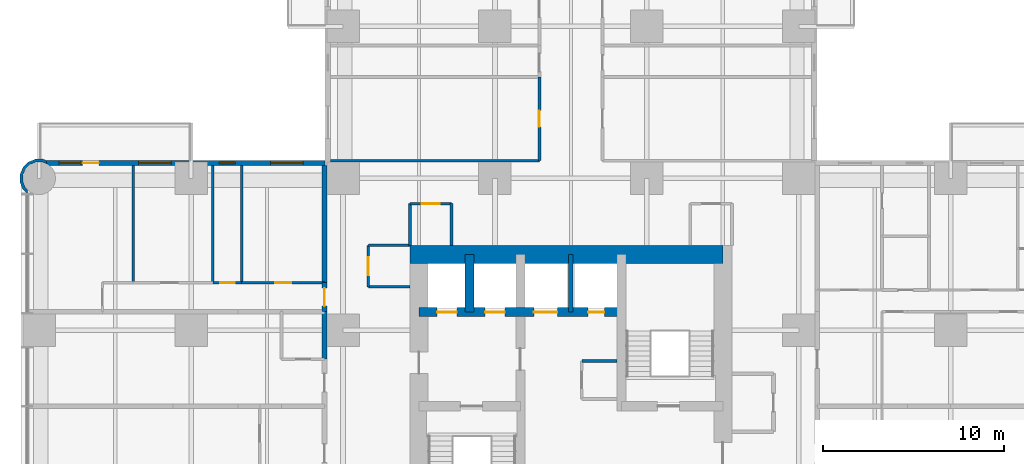
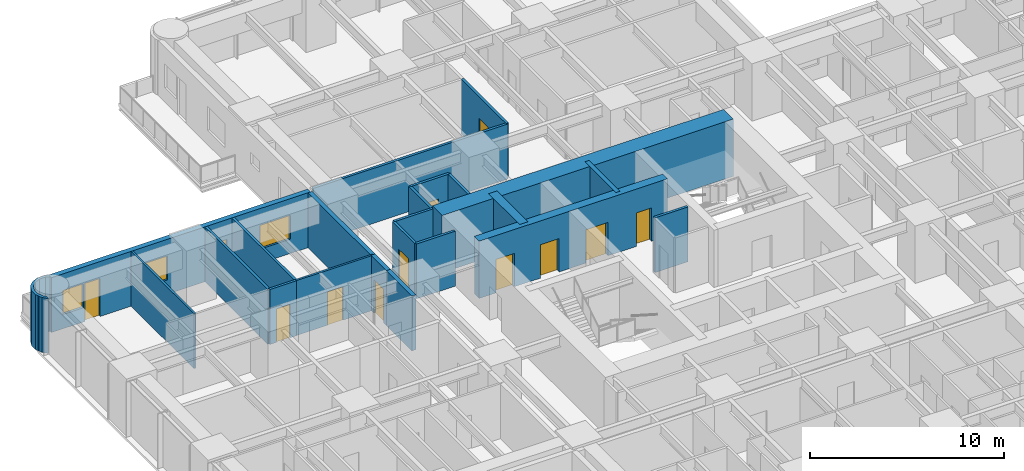
# One storey, part 12 of 17: 23 walls, 11 doors, 4 windows, 15 openings.
"""IFC4 building model written with IfcOpenShell, lengths in metres."""

from ifc_helpers import new_model, si_unit, direction, frame, frame_2d, origin, place, context, subcontext, project, spatial, polyline, rectangle, outline, extrude, material, layer, layer_set, type_object, element, fill, save


model = new_model("IFC4")

# Units and contexts
model_context = context("Model", 3, precision=1e-05, world=origin(), true_north=direction((0.0, 1.0)))
body_context = subcontext(model_context, "Body", "Model", "MODEL_VIEW")
ifc_project = project(units=[si_unit("LENGTHUNIT", "METRE"), si_unit("AREAUNIT", "SQUARE_METRE"), si_unit("VOLUMEUNIT", "CUBIC_METRE"), si_unit("PLANEANGLEUNIT", "RADIAN"), si_unit("MASSUNIT", "GRAM", prefix="KILO")], contexts=[model_context])

# Site, building, storey
site_placement = place(None, origin())
site = spatial("IfcSite", under=ifc_project, at=site_placement, CompositionType="ELEMENT")
building_placement = place(site_placement, origin())
building = spatial("IfcBuilding", under=site, at=building_placement, Name="Torre Alcanfor", CompositionType="ELEMENT")
storey_placement = place(building_placement, frame((0.0, 0.0, 34.5)))
storey = spatial("IfcBuildingStorey", under=building, at=storey_placement, Name="L07", CompositionType="ELEMENT", Elevation=34.5)

# Wall
ifc_material_1 = material(Name="Concrete block masonry, hollow blocks NMX-C-404 9 MPa", Category="masonry")
ifc_layer_1 = layer(ifc_material_1, 0.25)
ifc_layer_set_1 = layer_set([ifc_layer_1], Name="Apartment entrance wall 250 EI 60")
wall_type_1 = type_object("IfcWallType", Name="Apartment entrance wall 250 EI 60", PredefinedType="PARTITIONING", material=ifc_layer_set_1)
wall_1_placement = place(storey_placement, frame((15.77490234375, 32.0, 0.0), z_axis=(0.0, 0.0, 1.0), x_axis=(0.0, 1.0, 0.0)))
element("IfcWall", 1, at=wall_1_placement, inside=storey, type_object=wall_type_1, Name="Partition L07-CORR / L07-W2A-BATH", PredefinedType="PARTITIONING", context=body_context, shape_type="SweptSolid", body=[
    extrude(rectangle(XDim=2.62890625, YDim=0.25, at=frame_2d((1.314453125, 0.0))), origin(), (0.0, 0.0, 1.0), 3.449951171875),
])

# Wall, opening, door
wall_2_placement = place(storey_placement, frame((15.77490234375, 34.62890625, 0.0), z_axis=(0.0, 0.0, 1.0), x_axis=(0.0, 1.0, 0.0)))
wall_2 = element("IfcWall", 2, at=wall_2_placement, inside=storey, type_object=wall_type_1, Name="Partition L07-CORR / L07-W2B-HALL", PredefinedType="PARTITIONING", context=body_context, shape_type="SweptSolid", body=[
    extrude(rectangle(XDim=1.60009765625, YDim=0.25, at=frame_2d((0.800048828125, 0.0))), origin(), (0.0, 0.0, 1.0), 3.449951171875),
])
opening_1_placement = place(wall_2_placement, frame((0.300048828125, 0.0, 0.0)))
opening_1 = element("IfcOpeningElement", 3, at=opening_1_placement, cuts=wall_2, Name="Opening D-A1", PredefinedType="OPENING", context=body_context, shape_type="SweptSolid", body=[
    extrude(rectangle(XDim=1.0, YDim=2.10009765625, at=frame_2d((0.5, 1.050048828125))), frame((0.0, 0.135009765625, 0.0), z_axis=(0.0, -1.0, 0.0), x_axis=(1.0, 0.0, 0.0)), (0.0, 0.0, 1.0), 0.27001953125),
])
ifc_material_2 = material(Name="Galvanised steel sheet ASTM A653", Category="steel")
door_type_1 = type_object("IfcDoorType", Name="Apartment entrance door FD60 1000x2100", OperationType="SINGLE_SWING_LEFT", PredefinedType="DOOR", material=ifc_material_2)
door_1_placement = place(opening_1_placement, origin())
door_1 = element("IfcDoor", 4, at=door_1_placement, inside=storey, type_object=door_type_1, Name="Apartment entrance L07-W2B", OperationType="SINGLE_SWING_LEFT", OverallHeight=2.10009765625, OverallWidth=1.0, PredefinedType="DOOR", context=body_context, shape_type="SweptSolid", body=[
    extrude(rectangle(XDim=1.0, YDim=2.10009765625, at=frame_2d((0.5, 1.050048828125))), frame((0.0, 0.02490234375, 0.0), z_axis=(0.0, -1.0, 0.0), x_axis=(1.0, 0.0, 0.0)), (0.0, 0.0, 1.0), 0.050048828125),
])
fill(opening_1, door_1)

# Wall
wall_3_placement = place(storey_placement, frame((15.77490234375, 36.22900390625, 0.0), z_axis=(0.0, 0.0, 1.0), x_axis=(0.0, 1.0, 0.0)))
element("IfcWall", 5, at=wall_3_placement, inside=storey, type_object=wall_type_1, Name="Partition L07-CORR / L07-W2B-MASTER", PredefinedType="PARTITIONING", context=body_context, shape_type="SweptSolid", body=[
    extrude(rectangle(XDim=6.470947265625, YDim=0.25, at=frame_2d((3.2353515625, 0.0))), origin(), (0.0, 0.0, 1.0), 3.449951171875),
])

# Wall, opening, door
ifc_material_3 = material(Name="Gypsum board on steel studs", Category="steel")
ifc_layer_2 = layer(ifc_material_3, 0.1201171875)
ifc_layer_set_2 = layer_set([ifc_layer_2], Name="Apartment partition 120")
wall_type_2 = type_object("IfcWallType", Name="Apartment partition 120", PredefinedType="PARTITIONING", material=ifc_layer_set_2)
wall_4_placement = place(storey_placement, frame((11.199951171875, 36.22900390625, 0.0), z_axis=(0.0, 0.0, 1.0), x_axis=(1.0, 0.0, 0.0)))
wall_4 = element("IfcWall", 6, at=wall_4_placement, inside=storey, type_object=wall_type_2, Name="Partition L07-W2B-HALL / L07-W2B-MASTER", PredefinedType="PARTITIONING", context=body_context, shape_type="SweptSolid", body=[
    extrude(rectangle(XDim=4.574951171875, YDim=0.1201171875, at=frame_2d((2.28759765625, 0.0))), origin(), (0.0, 0.0, 1.0), 3.449951171875),
])
opening_2_placement = place(wall_4_placement, frame((1.85009765625, 0.0, 0.0)))
opening_2 = element("IfcOpeningElement", 7, at=opening_2_placement, cuts=wall_4, Name="Opening D-R1", PredefinedType="OPENING", context=body_context, shape_type="SweptSolid", body=[
    extrude(rectangle(XDim=0.89990234375, YDim=2.10009765625, at=frame_2d((0.449951171875, 1.050048828125))), frame((0.0, 0.070068359375, 0.0), z_axis=(0.0, -1.0, 0.0), x_axis=(1.0, 0.0, 0.0)), (0.0, 0.0, 1.0), 0.14013671875),
])
ifc_material_4 = material(Name="Timber", Category="wood")
door_type_2 = type_object("IfcDoorType", Name="Internal door 900x2100", OperationType="SINGLE_SWING_LEFT", PredefinedType="DOOR", material=ifc_material_4)
door_2_placement = place(opening_2_placement, origin())
door_2 = element("IfcDoor", 8, at=door_2_placement, inside=storey, type_object=door_type_2, Name="Door L07-W2B master", OperationType="SINGLE_SWING_RIGHT", OverallHeight=2.10009765625, OverallWidth=0.89990234375, PredefinedType="DOOR", context=body_context, shape_type="SweptSolid", body=[
    extrude(rectangle(XDim=0.89990234375, YDim=2.10009765625, at=frame_2d((0.449951171875, 1.050048828125))), frame((0.0, 0.02490234375, 0.0), z_axis=(0.0, -1.0, 0.0), x_axis=(1.0, 0.0, 0.0)), (0.0, 0.0, 1.0), 0.050048828125),
])
fill(opening_2, door_2)

# Wall
wall_5_placement = place(storey_placement, frame((5.199951171875, 36.22900390625, 0.0), z_axis=(0.0, 0.0, 1.0), x_axis=(0.0, 1.0, 0.0)))
element("IfcWall", 9, at=wall_5_placement, inside=storey, type_object=wall_type_2, Name="Partition L07-W2B-STUDY / L07-W2B-KITCHEN", PredefinedType="PARTITIONING", context=body_context, shape_type="SweptSolid", body=[
    extrude(rectangle(XDim=6.470947265625, YDim=0.1201171875, at=frame_2d((3.2353515625, 0.0))), origin(), (0.0, 0.0, 1.0), 3.449951171875),
])

# Wall, openings, doors
ifc_material_5 = material(Name="Concrete f'c 70 MPa", Category="concrete")
ifc_layer_3 = layer(ifc_material_5, 0.5)
ifc_layer_set_3 = layer_set([ifc_layer_3], Name="Core inner wall 500 f'c70")
wall_type_3 = type_object("IfcWallType", Name="Core inner wall 500 f'c70", PredefinedType="SHEAR", material=ifc_layer_set_3)
wall_6_placement = place(storey_placement, frame((21.0, 34.60009765625, 0.0), z_axis=(0.0, 0.0, 1.0), x_axis=(1.0, 0.0, 0.0)))
wall_6 = element("IfcWall", 10, at=wall_6_placement, inside=storey, type_object=wall_type_3, Name="Core wall Y346 L07", PredefinedType="SHEAR", context=body_context, shape_type="SweptSolid", body=[
    extrude(rectangle(XDim=11.199951171875, YDim=0.5, at=frame_2d((5.60009765625, 0.0))), origin(), (0.0, 0.0, 1.0), 3.60009765625),
])
opening_3_placement = place(wall_6_placement, frame((9.35009765625, 0.0, 0.0)))
opening_3 = element("IfcOpeningElement", 11, at=opening_3_placement, cuts=wall_6, Name="Opening D-Q1", PredefinedType="OPENING", context=body_context, shape_type="SweptSolid", body=[
    extrude(rectangle(XDim=0.89990234375, YDim=2.10009765625, at=frame_2d((0.449951171875, 1.050048828125))), frame((0.0, 0.260009765625, 0.0), z_axis=(0.0, -1.0, 0.0), x_axis=(1.0, 0.0, 0.0)), (0.0, 0.0, 1.0), 0.52001953125),
])
opening_4_placement = place(wall_6_placement, frame((1.0, 0.0, 0.0)))
opening_4 = element("IfcOpeningElement", 12, at=opening_4_placement, cuts=wall_6, Name="Opening LD2", PredefinedType="OPENING", context=body_context, shape_type="SweptSolid", body=[
    extrude(rectangle(XDim=1.10009765625, YDim=2.10009765625, at=frame_2d((0.550048828125, 1.050048828125))), frame((0.0, 0.260009765625, 0.0), z_axis=(0.0, -1.0, 0.0), x_axis=(1.0, 0.0, 0.0)), (0.0, 0.0, 1.0), 0.52001953125),
])
opening_5_placement = place(wall_6_placement, frame((3.64990234375, 0.0, 0.0)))
opening_5 = element("IfcOpeningElement", 13, at=opening_5_placement, cuts=wall_6, Name="Opening LD2", PredefinedType="OPENING", context=body_context, shape_type="SweptSolid", body=[
    extrude(rectangle(XDim=1.10009765625, YDim=2.10009765625, at=frame_2d((0.550048828125, 1.050048828125))), frame((0.0, 0.260009765625, 0.0), z_axis=(0.0, -1.0, 0.0), x_axis=(1.0, 0.0, 0.0)), (0.0, 0.0, 1.0), 0.52001953125),
])
opening_6_placement = place(wall_6_placement, frame((6.35009765625, 0.0, 0.0)))
opening_6 = element("IfcOpeningElement", 14, at=opening_6_placement, cuts=wall_6, Name="Opening LD3", PredefinedType="OPENING", context=body_context, shape_type="SweptSolid", body=[
    extrude(rectangle(XDim=1.300048828125, YDim=2.10009765625, at=frame_2d((0.64990234375, 1.050048828125))), frame((0.0, 0.260009765625, 0.0), z_axis=(0.0, -1.0, 0.0), x_axis=(1.0, 0.0, 0.0)), (0.0, 0.0, 1.0), 0.52001953125),
])
ifc_material_6 = material(Name="Galvanised steel sheet ASTM A653", Category="steel")
door_type_3 = type_object("IfcDoorType", Name="Firefighting lift landing door 1100x2100", OperationType="DOUBLE_DOOR_SLIDING", PredefinedType="DOOR", material=ifc_material_6)
door_3_placement = place(opening_4_placement, origin())
door_3 = element("IfcDoor", 15, at=door_3_placement, inside=storey, type_object=door_type_3, Name="Lift landing door FL1 L07", OperationType="DOUBLE_DOOR_SLIDING", OverallHeight=2.10009765625, OverallWidth=1.10009765625, PredefinedType="DOOR", context=body_context, shape_type="SweptSolid", body=[
    extrude(rectangle(XDim=1.10009765625, YDim=2.10009765625, at=frame_2d((0.550048828125, 1.050048828125))), frame((0.0, 0.02490234375, 0.0), z_axis=(0.0, -1.0, 0.0), x_axis=(1.0, 0.0, 0.0)), (0.0, 0.0, 1.0), 0.050048828125),
])
fill(opening_4, door_3)
door_4_placement = place(opening_5_placement, origin())
door_4 = element("IfcDoor", 16, at=door_4_placement, inside=storey, type_object=door_type_3, Name="Lift landing door FL2 L07", OperationType="DOUBLE_DOOR_SLIDING", OverallHeight=2.10009765625, OverallWidth=1.10009765625, PredefinedType="DOOR", context=body_context, shape_type="SweptSolid", body=[
    extrude(rectangle(XDim=1.10009765625, YDim=2.10009765625, at=frame_2d((0.550048828125, 1.050048828125))), frame((0.0, 0.02490234375, 0.0), z_axis=(0.0, -1.0, 0.0), x_axis=(1.0, 0.0, 0.0)), (0.0, 0.0, 1.0), 0.050048828125),
])
fill(opening_5, door_4)
ifc_material_7 = material(Name="Galvanised steel sheet ASTM A653", Category="steel")
door_type_4 = type_object("IfcDoorType", Name="Riser access door FD120 900x2100", OperationType="SINGLE_SWING_LEFT", PredefinedType="DOOR", material=ifc_material_7)
door_5_placement = place(opening_3_placement, origin())
door_5 = element("IfcDoor", 17, at=door_5_placement, inside=storey, type_object=door_type_4, Name="Riser door L07", OperationType="SINGLE_SWING_LEFT", OverallHeight=2.10009765625, OverallWidth=0.89990234375, PredefinedType="DOOR", context=body_context, shape_type="SweptSolid", body=[
    extrude(rectangle(XDim=0.89990234375, YDim=2.10009765625, at=frame_2d((0.449951171875, 1.050048828125))), frame((0.0, 0.02490234375, 0.0), z_axis=(0.0, -1.0, 0.0), x_axis=(1.0, 0.0, 0.0)), (0.0, 0.0, 1.0), 0.050048828125),
])
fill(opening_3, door_5)
ifc_material_8 = material(Name="Galvanised steel sheet ASTM A653", Category="steel")
door_type_5 = type_object("IfcDoorType", Name="Service lift landing door 1300x2100", OperationType="DOUBLE_DOOR_SLIDING", PredefinedType="DOOR", material=ifc_material_8)
door_6_placement = place(opening_6_placement, origin())
door_6 = element("IfcDoor", 18, at=door_6_placement, inside=storey, type_object=door_type_5, Name="Lift landing door SL1 L07", OperationType="DOUBLE_DOOR_SLIDING", OverallHeight=2.10009765625, OverallWidth=1.300048828125, PredefinedType="DOOR", context=body_context, shape_type="SweptSolid", body=[
    extrude(rectangle(XDim=1.300048828125, YDim=2.10009765625, at=frame_2d((0.64990234375, 1.050048828125))), frame((0.0, 0.02490234375, 0.0), z_axis=(0.0, -1.0, 0.0), x_axis=(1.0, 0.0, 0.0)), (0.0, 0.0, 1.0), 0.050048828125),
])
fill(opening_6, door_6)

# Walls
wall_7_placement = place(storey_placement, frame((23.800048828125, 34.60009765625, 0.0), z_axis=(0.0, 0.0, 1.0), x_axis=(0.0, 1.0, 0.0)))
element("IfcWall", 19, at=wall_7_placement, inside=storey, type_object=wall_type_3, Name="Core wall X238 L07", PredefinedType="SHEAR", context=body_context, shape_type="SweptSolid", body=[
    extrude(rectangle(XDim=3.199951171875, YDim=0.5, at=frame_2d((1.60009765625, 0.0))), origin(), (0.0, 0.0, 1.0), 3.60009765625),
])
ifc_material_9 = material(Name="Concrete f'c 70 MPa", Category="concrete")
ifc_layer_4 = layer(ifc_material_9, 0.25)
ifc_layer_set_4 = layer_set([ifc_layer_4], Name="Core shaft wall 250 f'c70")
wall_type_4 = type_object("IfcWallType", Name="Core shaft wall 250 f'c70", PredefinedType="SHEAR", material=ifc_layer_set_4)
wall_8_placement = place(storey_placement, frame((29.39990234375, 34.60009765625, 0.0), z_axis=(0.0, 0.0, 1.0), x_axis=(0.0, 1.0, 0.0)))
element("IfcWall", 20, at=wall_8_placement, inside=storey, type_object=wall_type_4, Name="Core wall X294N L07", PredefinedType="SHEAR", context=body_context, shape_type="SweptSolid", body=[
    extrude(rectangle(XDim=3.199951171875, YDim=0.25, at=frame_2d((1.60009765625, 0.0))), origin(), (0.0, 0.0, 1.0), 3.60009765625),
])
ifc_material_10 = material(Name="Concrete f'c 70 MPa", Category="concrete")
ifc_layer_5 = layer(ifc_material_10, 1.0)
ifc_layer_set_5 = layer_set([ifc_layer_5], Name="Core wall 1000 f'c70")
wall_type_5 = type_object("IfcWallType", Name="Core wall 1000 f'c70", PredefinedType="SHEAR", material=ifc_layer_set_5)
wall_9_placement = place(storey_placement, frame((37.800048828125, 37.800048828125, 0.0), z_axis=(0.0, 0.0, 1.0), x_axis=(-1.0, 0.0, 0.0)))
element("IfcWall", 21, at=wall_9_placement, inside=storey, type_object=wall_type_5, Name="Core wall OUT-N L07", PredefinedType="SHEAR", context=body_context, shape_type="SweptSolid", body=[
    extrude(rectangle(XDim=17.300048828125, YDim=1.0, at=frame_2d((8.64990234375, 0.0))), origin(), (0.0, 0.0, 1.0), 3.60009765625),
])

# Wall, openings, door, windows
ifc_material_11 = material(Name="Limestone cladding", Category="masonry")
ifc_layer_6 = layer(ifc_material_11, 0.0400390625, Name="Facing")
ifc_material_12 = material(Name="Ventilated air cavity")
ifc_layer_7 = layer(ifc_material_12, 0.02001953125, ventilated=True, Name="Ventilated joint")
ifc_material_13 = material(Name="Mineral wool insulation", Category="insulation")
ifc_layer_8 = layer(ifc_material_13, 0.10009765625, Name="Insulation")
ifc_material_14 = material(Name="Concrete f'c 35 MPa", Category="concrete")
ifc_layer_9 = layer(ifc_material_14, 0.139892578125, Name="Backing")
ifc_layer_set_6 = layer_set([ifc_layer_6, ifc_layer_7, ifc_layer_8, ifc_layer_9], Name="External wall stone-clad 300")
wall_type_6 = type_object("IfcWallType", Name="External wall stone-clad 300", PredefinedType="SOLIDWALL", material=ifc_layer_set_6)
wall_10_placement = place(storey_placement, frame((15.800048828125, 42.85009765625, 0.0), z_axis=(0.0, 0.0, 1.0), x_axis=(-1.0, 0.0, 0.0)))
wall_10 = element("IfcWall", 22, at=wall_10_placement, inside=storey, type_object=wall_type_6, Name="External wall L07 1", PredefinedType="SOLIDWALL", context=body_context, shape_type="SweptSolid", body=[
    extrude(rectangle(XDim=15.400146484375, YDim=0.300048828125, at=frame_2d((7.7001953125, 0.0))), origin(), (0.0, 0.0, 1.0), 3.449951171875),
])
opening_7_placement = place(wall_10_placement, frame((1.199951171875, 0.0, 0.89990234375)))
opening_7 = element("IfcOpeningElement", 23, at=opening_7_placement, cuts=wall_10, Name="Opening W2", PredefinedType="OPENING", context=body_context, shape_type="SweptSolid", body=[
    extrude(rectangle(XDim=1.800048828125, YDim=1.5, at=frame_2d((0.89990234375, 0.75))), frame((0.0, 0.159912109375, 0.0), z_axis=(0.0, -1.0, 0.0), x_axis=(1.0, 0.0, 0.0)), (0.0, 0.0, 1.0), 0.320068359375),
])
opening_8_placement = place(wall_10_placement, frame((4.949951171875, 0.0, 1.5)))
opening_8 = element("IfcOpeningElement", 24, at=opening_8_placement, cuts=wall_10, Name="Opening W3", PredefinedType="OPENING", context=body_context, shape_type="SweptSolid", body=[
    extrude(rectangle(XDim=0.89990234375, YDim=0.699951171875, at=frame_2d((0.449951171875, 0.35009765625))), frame((0.0, 0.159912109375, 0.0), z_axis=(0.0, -1.0, 0.0), x_axis=(1.0, 0.0, 0.0)), (0.0, 0.0, 1.0), 0.320068359375),
])
opening_9_placement = place(wall_10_placement, frame((8.5, 0.0, 0.89990234375)))
opening_9 = element("IfcOpeningElement", 25, at=opening_9_placement, cuts=wall_10, Name="Opening W2", PredefinedType="OPENING", context=body_context, shape_type="SweptSolid", body=[
    extrude(rectangle(XDim=1.800048828125, YDim=1.5, at=frame_2d((0.89990234375, 0.75))), frame((0.0, 0.159912109375, 0.0), z_axis=(0.0, -1.0, 0.0), x_axis=(1.0, 0.0, 0.0)), (0.0, 0.0, 1.0), 0.320068359375),
])
opening_10_placement = place(wall_10_placement, frame((12.5, 0.0, 0.0)))
opening_10 = element("IfcOpeningElement", 26, at=opening_10_placement, cuts=wall_10, Name="Opening D-B1", PredefinedType="OPENING", context=body_context, shape_type="SweptSolid", body=[
    extrude(rectangle(XDim=0.89990234375, YDim=2.39990234375, at=frame_2d((0.449951171875, 1.199951171875))), frame((0.0, 0.159912109375, 0.0), z_axis=(0.0, -1.0, 0.0), x_axis=(1.0, 0.0, 0.0)), (0.0, 0.0, 1.0), 0.320068359375),
])
opening_11_placement = place(wall_10_placement, frame((13.5, 0.0, 0.89990234375)))
opening_11 = element("IfcOpeningElement", 27, at=opening_11_placement, cuts=wall_10, Name="Opening W4", PredefinedType="OPENING", context=body_context, shape_type="SweptSolid", body=[
    extrude(rectangle(XDim=1.199951171875, YDim=1.5, at=frame_2d((0.60009765625, 0.75))), frame((0.0, 0.159912109375, 0.0), z_axis=(0.0, -1.0, 0.0), x_axis=(1.0, 0.0, 0.0)), (0.0, 0.0, 1.0), 0.320068359375),
])
ifc_material_15 = material(Name="Aluminium and glass", Category="aluminium")
door_type_6 = type_object("IfcDoorType", Name="Balcony door glazed 900x2400", OperationType="SINGLE_SWING_LEFT", PredefinedType="DOOR", material=ifc_material_15)
door_7_placement = place(opening_10_placement, origin())
door_7 = element("IfcDoor", 28, at=door_7_placement, inside=storey, type_object=door_type_6, Name="Balcony door L07-W2", OperationType="SINGLE_SWING_LEFT", OverallHeight=2.39990234375, OverallWidth=0.89990234375, PredefinedType="DOOR", context=body_context, shape_type="SweptSolid", body=[
    extrude(rectangle(XDim=0.89990234375, YDim=2.39990234375, at=frame_2d((0.449951171875, 1.199951171875))), frame((0.0, 0.02490234375, 0.0), z_axis=(0.0, -1.0, 0.0), x_axis=(1.0, 0.0, 0.0)), (0.0, 0.0, 1.0), 0.050048828125),
])
fill(opening_10, door_7)
ifc_material_16 = material(Name="Aluminium frame with clear double glazing", Category="aluminium")
window_type_1 = type_object("IfcWindowType", Name="Window bathroom 900x700", PartitioningType="SINGLE_PANEL", PredefinedType="WINDOW", material=ifc_material_16)
window_1_placement = place(opening_8_placement, origin())
window_1 = element("IfcWindow", 29, at=window_1_placement, inside=storey, type_object=window_type_1, Name="Window W3 L07-W2", OverallHeight=0.699951171875, OverallWidth=0.89990234375, PartitioningType="SINGLE_PANEL", PredefinedType="WINDOW", context=body_context, shape_type="SweptSolid", body=[
    extrude(rectangle(XDim=0.89990234375, YDim=0.699951171875, at=frame_2d((0.449951171875, 0.35009765625))), frame((0.0, 0.030029296875, 0.0), z_axis=(0.0, -1.0, 0.0), x_axis=(1.0, 0.0, 0.0)), (0.0, 0.0, 1.0), 0.06005859375),
])
fill(opening_8, window_1)
ifc_material_17 = material(Name="Aluminium frame with clear double glazing", Category="aluminium")
window_type_2 = type_object("IfcWindowType", Name="Window bedroom 1200x1500", PartitioningType="SINGLE_PANEL", PredefinedType="WINDOW", material=ifc_material_17)
window_2_placement = place(opening_11_placement, origin())
window_2 = element("IfcWindow", 30, at=window_2_placement, inside=storey, type_object=window_type_2, Name="Window W4 L07-W2", OverallHeight=1.5, OverallWidth=1.199951171875, PartitioningType="SINGLE_PANEL", PredefinedType="WINDOW", context=body_context, shape_type="SweptSolid", body=[
    extrude(rectangle(XDim=1.199951171875, YDim=1.5, at=frame_2d((0.60009765625, 0.75))), frame((0.0, 0.030029296875, 0.0), z_axis=(0.0, -1.0, 0.0), x_axis=(1.0, 0.0, 0.0)), (0.0, 0.0, 1.0), 0.06005859375),
])
fill(opening_11, window_2)
ifc_material_18 = material(Name="Aluminium frame with clear double glazing", Category="aluminium")
window_type_3 = type_object("IfcWindowType", Name="Window bedroom 1800x1500", PartitioningType="SINGLE_PANEL", PredefinedType="WINDOW", material=ifc_material_18)
window_3_placement = place(opening_7_placement, origin())
window_3 = element("IfcWindow", 31, at=window_3_placement, inside=storey, type_object=window_type_3, Name="Window W2 L07-W2", OverallHeight=1.5, OverallWidth=1.800048828125, PartitioningType="SINGLE_PANEL", PredefinedType="WINDOW", context=body_context, shape_type="SweptSolid", body=[
    extrude(rectangle(XDim=1.800048828125, YDim=1.5, at=frame_2d((0.89990234375, 0.75))), frame((0.0, 0.030029296875, 0.0), z_axis=(0.0, -1.0, 0.0), x_axis=(1.0, 0.0, 0.0)), (0.0, 0.0, 1.0), 0.06005859375),
])
fill(opening_7, window_3)
window_4_placement = place(opening_9_placement, origin())
window_4 = element("IfcWindow", 32, at=window_4_placement, inside=storey, type_object=window_type_3, Name="Window W2 L07-W2", OverallHeight=1.5, OverallWidth=1.800048828125, PartitioningType="SINGLE_PANEL", PredefinedType="WINDOW", context=body_context, shape_type="SweptSolid", body=[
    extrude(rectangle(XDim=1.800048828125, YDim=1.5, at=frame_2d((0.89990234375, 0.75))), frame((0.0, 0.030029296875, 0.0), z_axis=(0.0, -1.0, 0.0), x_axis=(1.0, 0.0, 0.0)), (0.0, 0.0, 1.0), 0.06005859375),
])
fill(opening_9, window_4)

# Wall
ifc_material_19 = material(Name="Concrete block masonry, hollow blocks NMX-C-404 9 MPa", Category="masonry")
ifc_layer_10 = layer(ifc_material_19, 0.14990234375)
ifc_layer_set_7 = layer_set([ifc_layer_10], Name="Residents' room partition 150")
wall_type_7 = type_object("IfcWallType", Name="Residents' room partition 150", PredefinedType="PARTITIONING", material=ifc_layer_set_7)
wall_11_placement = place(storey_placement, frame((22.800048828125, 38.300048828125, 0.0), z_axis=(0.0, 0.0, 1.0), x_axis=(0.0, 1.0, 0.0)))
element("IfcWall", 33, at=wall_11_placement, inside=storey, type_object=wall_type_7, Name="Partition L07-CORR / L07-G01", PredefinedType="PARTITIONING", context=body_context, shape_type="SweptSolid", body=[
    extrude(rectangle(XDim=2.300048828125, YDim=0.14990234375, at=frame_2d((1.14990234375, 0.0))), origin(), (0.0, 0.0, 1.0), 3.449951171875),
])

# Wall, opening, door
wall_12_placement = place(storey_placement, frame((22.800048828125, 40.60009765625, 0.0), z_axis=(0.0, 0.0, 1.0), x_axis=(-1.0, 0.0, 0.0)))
wall_12 = element("IfcWall", 34, at=wall_12_placement, inside=storey, type_object=wall_type_7, Name="Partition L07-CORR / L07-G01", PredefinedType="PARTITIONING", context=body_context, shape_type="SweptSolid", body=[
    extrude(rectangle(XDim=2.300048828125, YDim=0.14990234375, at=frame_2d((1.14990234375, 0.0))), origin(), (0.0, 0.0, 1.0), 3.449951171875),
])
opening_12_placement = place(wall_12_placement, frame((0.64990234375, 0.0, 0.0)))
opening_12 = element("IfcOpeningElement", 35, at=opening_12_placement, cuts=wall_12, Name="Opening D-M1", PredefinedType="OPENING", context=body_context, shape_type="SweptSolid", body=[
    extrude(rectangle(XDim=1.0, YDim=2.10009765625, at=frame_2d((0.5, 1.050048828125))), frame((0.0, 0.0849609375, 0.0), z_axis=(0.0, -1.0, 0.0), x_axis=(1.0, 0.0, 0.0)), (0.0, 0.0, 1.0), 0.169921875),
])
ifc_material_20 = material(Name="Timber", Category="wood")
door_type_7 = type_object("IfcDoorType", Name="Residents' room door 1000x2100", OperationType="SINGLE_SWING_LEFT", PredefinedType="DOOR", material=ifc_material_20)
door_8_placement = place(opening_12_placement, origin())
door_8 = element("IfcDoor", 36, at=door_8_placement, inside=storey, type_object=door_type_7, Name="Door L07-G01 parcel room", OperationType="SINGLE_SWING_LEFT", OverallHeight=2.10009765625, OverallWidth=1.0, PredefinedType="DOOR", context=body_context, shape_type="SweptSolid", body=[
    extrude(rectangle(XDim=1.0, YDim=2.10009765625, at=frame_2d((0.5, 1.050048828125))), frame((0.0, 0.02490234375, 0.0), z_axis=(0.0, -1.0, 0.0), x_axis=(1.0, 0.0, 0.0)), (0.0, 0.0, 1.0), 0.050048828125),
])
fill(opening_12, door_8)

# Walls
for number, where, z_axis, x_axis, name in (
    (37, (20.5, 40.60009765625, 0.0), (0.0, 0.0, 1.0), (0.0, -1.0, 0.0), "Partition L07-CORR / L07-G01"),
    (38, (20.5, 38.300048828125, 0.0), (0.0, 0.0, 1.0), (-1.0, 0.0, 0.0), "Partition L07-CORR / L07-G05"),
):
    element("IfcWall", number, at=place(storey_placement, frame(where, z_axis=z_axis, x_axis=x_axis)), inside=storey, type_object=wall_type_7, Name=name, PredefinedType="PARTITIONING", context=body_context, shape_type="SweptSolid", body=[
        extrude(rectangle(XDim=2.300048828125, YDim=0.14990234375, at=frame_2d((1.14990234375, 0.0))), origin(), (0.0, 0.0, 1.0), 3.449951171875),
    ])

# Wall, opening, door
wall_13_placement = place(storey_placement, frame((18.199951171875, 38.300048828125, 0.0), z_axis=(0.0, 0.0, 1.0), x_axis=(0.0, -1.0, 0.0)))
wall_13 = element("IfcWall", 39, at=wall_13_placement, inside=storey, type_object=wall_type_7, Name="Partition L07-CORR / L07-G05", PredefinedType="PARTITIONING", context=body_context, shape_type="SweptSolid", body=[
    extrude(rectangle(XDim=2.300048828125, YDim=0.14990234375, at=frame_2d((1.14990234375, 0.0))), origin(), (0.0, 0.0, 1.0), 3.449951171875),
])
opening_13_placement = place(wall_13_placement, frame((0.64990234375, 0.0, 0.0)))
opening_13 = element("IfcOpeningElement", 40, at=opening_13_placement, cuts=wall_13, Name="Opening D-M1", PredefinedType="OPENING", context=body_context, shape_type="SweptSolid", body=[
    extrude(rectangle(XDim=1.0, YDim=2.10009765625, at=frame_2d((0.5, 1.050048828125))), frame((0.0, 0.0849609375, 0.0), z_axis=(0.0, -1.0, 0.0), x_axis=(1.0, 0.0, 0.0)), (0.0, 0.0, 1.0), 0.169921875),
])
door_9_placement = place(opening_13_placement, origin())
door_9 = element("IfcDoor", 41, at=door_9_placement, inside=storey, type_object=door_type_7, Name="Door L07-G05 pram and buggy store", OperationType="SINGLE_SWING_LEFT", OverallHeight=2.10009765625, OverallWidth=1.0, PredefinedType="DOOR", context=body_context, shape_type="SweptSolid", body=[
    extrude(rectangle(XDim=1.0, YDim=2.10009765625, at=frame_2d((0.5, 1.050048828125))), frame((0.0, 0.02490234375, 0.0), z_axis=(0.0, -1.0, 0.0), x_axis=(1.0, 0.0, 0.0)), (0.0, 0.0, 1.0), 0.050048828125),
])
fill(opening_13, door_9)

# Walls
wall_14_placement = place(storey_placement, frame((18.199951171875, 36.0, 0.0), z_axis=(0.0, 0.0, 1.0), x_axis=(1.0, 0.0, 0.0)))
element("IfcWall", 42, at=wall_14_placement, inside=storey, type_object=wall_type_7, Name="Partition L07-CORR / L07-G05", PredefinedType="PARTITIONING", context=body_context, shape_type="SweptSolid", body=[
    extrude(rectangle(XDim=2.300048828125, YDim=0.14990234375, at=frame_2d((1.14990234375, 0.0))), origin(), (0.0, 0.0, 1.0), 3.449951171875),
])
wall_15_placement = place(storey_placement, frame((16.10009765625, 42.97509765625, 0.0), z_axis=(0.0, 0.0, 1.0), x_axis=(1.0, 0.0, 0.0)))
element("IfcWall", 43, at=wall_15_placement, inside=storey, type_object=wall_type_7, Name="Partition L07-CORR / L07-N-WC", PredefinedType="PARTITIONING", context=body_context, shape_type="SweptSolid", body=[
    extrude(rectangle(XDim=11.556884765625, YDim=0.14990234375, at=frame_2d((5.7783203125, 0.0))), origin(), (0.0, 0.0, 1.0), 3.449951171875),
])

# Wall, opening, door
wall_16_placement = place(storey_placement, frame((27.656982421875, 47.60009765625, 0.0), z_axis=(0.0, 0.0, 1.0), x_axis=(0.0, -1.0, 0.0)))
wall_16 = element("IfcWall", 44, at=wall_16_placement, inside=storey, type_object=wall_type_7, Name="Partition L07-N-ACORR / L07-N-WC", PredefinedType="PARTITIONING", context=body_context, shape_type="SweptSolid", body=[
    extrude(rectangle(XDim=4.625, YDim=0.14990234375, at=frame_2d((2.3125, 0.0))), origin(), (0.0, 0.0, 1.0), 3.449951171875),
])
opening_14_placement = place(wall_16_placement, frame((1.85009765625, 0.0, 0.0)))
opening_14 = element("IfcOpeningElement", 45, at=opening_14_placement, cuts=wall_16, Name="Opening D-W1", PredefinedType="OPENING", context=body_context, shape_type="SweptSolid", body=[
    extrude(rectangle(XDim=0.89990234375, YDim=2.10009765625, at=frame_2d((0.449951171875, 1.050048828125))), frame((0.0, 0.0849609375, 0.0), z_axis=(0.0, -1.0, 0.0), x_axis=(1.0, 0.0, 0.0)), (0.0, 0.0, 1.0), 0.169921875),
])
ifc_material_21 = material(Name="Timber", Category="wood")
door_type_8 = type_object("IfcDoorType", Name="Toilet door 900x2100", OperationType="SINGLE_SWING_LEFT", PredefinedType="DOOR", material=ifc_material_21)
door_10_placement = place(opening_14_placement, frame((0.89990234375, 0.0, 0.0), z_axis=(0.0, 0.0, 1.0), x_axis=(-1.0, 0.0, 0.0)))
door_10 = element("IfcDoor", 46, at=door_10_placement, inside=storey, type_object=door_type_8, Name="Door L07 N wc", OperationType="SINGLE_SWING_RIGHT", OverallHeight=2.10009765625, OverallWidth=0.89990234375, PredefinedType="DOOR", context=body_context, shape_type="SweptSolid", body=[
    extrude(rectangle(XDim=0.89990234375, YDim=2.10009765625, at=frame_2d((0.449951171875, 1.050048828125))), frame((0.0, 0.025146484375, 0.0), z_axis=(0.0, -1.0, 0.0), x_axis=(1.0, 0.0, 0.0)), (0.0, 0.0, 1.0), 0.050048828125),
])
fill(opening_14, door_10)

# Wall
ifc_layer_11 = layer(ifc_material_11, 0.0400390625, Name="Facing")
ifc_layer_12 = layer(ifc_material_12, 0.02001953125, ventilated=True, Name="Ventilated joint")
ifc_layer_13 = layer(ifc_material_13, 0.10009765625, Name="Insulation")
ifc_layer_14 = layer(ifc_material_14, 0.139892578125, Name="Backing")
ifc_layer_set_8 = layer_set([ifc_layer_11, ifc_layer_12, ifc_layer_13, ifc_layer_14], Name="Rounded corner pier stone-clad 300")
wall_type_8 = type_object("IfcWallType", Name="Rounded corner pier stone-clad 300", PredefinedType="SOLIDWALL", material=ifc_layer_set_8)
wall_17_placement = place(storey_placement, frame((0.363962863, 42.909907157, 0.0), z_axis=(0.0, 0.0, 1.0), x_axis=(-0.926129809145, 0.377204953059, 0.0)))
element("IfcWall", 47, at=wall_17_placement, inside=storey, type_object=wall_type_8, Name="Corner pier L07 13", PredefinedType="SOLIDWALL", context=body_context, shape_type="SweptSolid", body=[
    extrude(outline(polyline([(0.36027248147905344, 1.8032799323574271), (0.5087783723473315, 1.740921099842025), (0.7605913470133172, 1.4857584601095954), (0.8957810128069955, 1.1538349835897281), (0.8939031559639274, 0.7953461823991875), (0.7547957339381889, 0.4650577343600455), (0.4996330942057594, 0.21324475969405968), (0.1677096176858921, 0.07805509390038129), (-0.09992182078970525, 0.07950523369113624), (0.0006988421670046999, -0.09699421764222865), (0.0300177129428464, -0.08030783699434613), (0.19858532179107968, -0.08124570553990346), (0.5888441232034033, 0.0777034519259609), (0.8888369702307105, 0.374136779300854), (1.052603126025944, 0.7629734686109036), (1.0550818122472803, 1.1847106876949156), (0.8961326547814159, 1.5749694891072394), (0.7776866026168303, 1.6949130219751851), (0.7691400347446393, 1.7275471706587737), (0.7502646662372825, 1.7227591424871238), (0.599699327406523, 1.8749623361345464), (0.2945484394782597, 2.0034825844222954), (0.2809820848521072, 1.9979571212427172), (0.36027248147905344, 1.8032799323574271)])), origin(), (0.0, 0.0, 1.0), 3.449951171875),
])

# Wall, opening, door
ifc_material_22 = material(Name="Cement board on steel studs", Category="steel")
ifc_layer_15 = layer(ifc_material_22, 0.14990234375)
ifc_layer_set_9 = layer_set([ifc_layer_15], Name="Wet area partition 150")
wall_type_9 = type_object("IfcWallType", Name="Wet area partition 150", PredefinedType="PARTITIONING", material=ifc_layer_set_9)
wall_18_placement = place(storey_placement, frame((9.60009765625, 36.22900390625, 0.0), z_axis=(0.0, 0.0, 1.0), x_axis=(1.0, 0.0, 0.0)))
wall_18 = element("IfcWall", 48, at=wall_18_placement, inside=storey, type_object=wall_type_9, Name="Partition L07-W2B-HALL / L07-W2B-BATH", PredefinedType="PARTITIONING", context=body_context, shape_type="SweptSolid", body=[
    extrude(rectangle(XDim=1.599853515625, YDim=0.14990234375, at=frame_2d((0.7998046875, 0.0))), origin(), (0.0, 0.0, 1.0), 3.449951171875),
])
opening_15_placement = place(wall_18_placement, frame((0.39990234375, 0.0, 0.0)))
opening_15 = element("IfcOpeningElement", 49, at=opening_15_placement, cuts=wall_18, Name="Opening D-R2", PredefinedType="OPENING", context=body_context, shape_type="SweptSolid", body=[
    extrude(rectangle(XDim=0.800048828125, YDim=2.10009765625, at=frame_2d((0.39990234375, 1.050048828125))), frame((0.0, 0.0849609375, 0.0), z_axis=(0.0, -1.0, 0.0), x_axis=(1.0, 0.0, 0.0)), (0.0, 0.0, 1.0), 0.169921875),
])
ifc_material_23 = material(Name="Timber", Category="wood")
door_type_9 = type_object("IfcDoorType", Name="Bathroom door 800x2100", OperationType="SINGLE_SWING_LEFT", PredefinedType="DOOR", material=ifc_material_23)
door_11_placement = place(opening_15_placement, origin())
door_11 = element("IfcDoor", 50, at=door_11_placement, inside=storey, type_object=door_type_9, Name="Door L07-W2B bath", OperationType="SINGLE_SWING_LEFT", OverallHeight=2.10009765625, OverallWidth=0.800048828125, PredefinedType="DOOR", context=body_context, shape_type="SweptSolid", body=[
    extrude(rectangle(XDim=0.800048828125, YDim=2.10009765625, at=frame_2d((0.39990234375, 1.050048828125))), frame((0.0, 0.02490234375, 0.0), z_axis=(0.0, -1.0, 0.0), x_axis=(1.0, 0.0, 0.0)), (0.0, 0.0, 1.0), 0.050048828125),
])
fill(opening_15, door_11)

# Walls
for number, where, z_axis, x_axis, name in (
    (51, (11.199951171875, 36.22900390625, 0.0), (0.0, 0.0, 1.0), (0.0, 1.0, 0.0), "Partition L07-W2B-MASTER / L07-W2B-BATH"),
    (52, (9.60009765625, 36.22900390625, 0.0), (0.0, 0.0, 1.0), (0.0, 1.0, 0.0), "Partition L07-W2B-BATH / L07-W2B-STUDY"),
):
    element("IfcWall", number, at=place(storey_placement, frame(where, z_axis=z_axis, x_axis=x_axis)), inside=storey, type_object=wall_type_9, Name=name, PredefinedType="PARTITIONING", context=body_context, shape_type="SweptSolid", body=[
        extrude(rectangle(XDim=6.470947265625, YDim=0.14990234375, at=frame_2d((3.2353515625, 0.0))), origin(), (0.0, 0.0, 1.0), 3.449951171875),
    ])
wall_19_placement = place(storey_placement, frame((30.0, 31.89990234375, 0.0), z_axis=(0.0, 0.0, 1.0), x_axis=(1.0, 0.0, 0.0)))
element("IfcWall", 53, at=wall_19_placement, inside=storey, type_object=wall_type_9, Name="Partition L07-LL / L07-CR1", PredefinedType="PARTITIONING", context=body_context, shape_type="SweptSolid", body=[
    extrude(rectangle(XDim=1.949951171875, YDim=0.14990234375, at=frame_2d((0.97509765625, 0.0))), origin(), (0.0, 0.0, 1.0), 3.449951171875),
])

save(model, "model.ifc")
